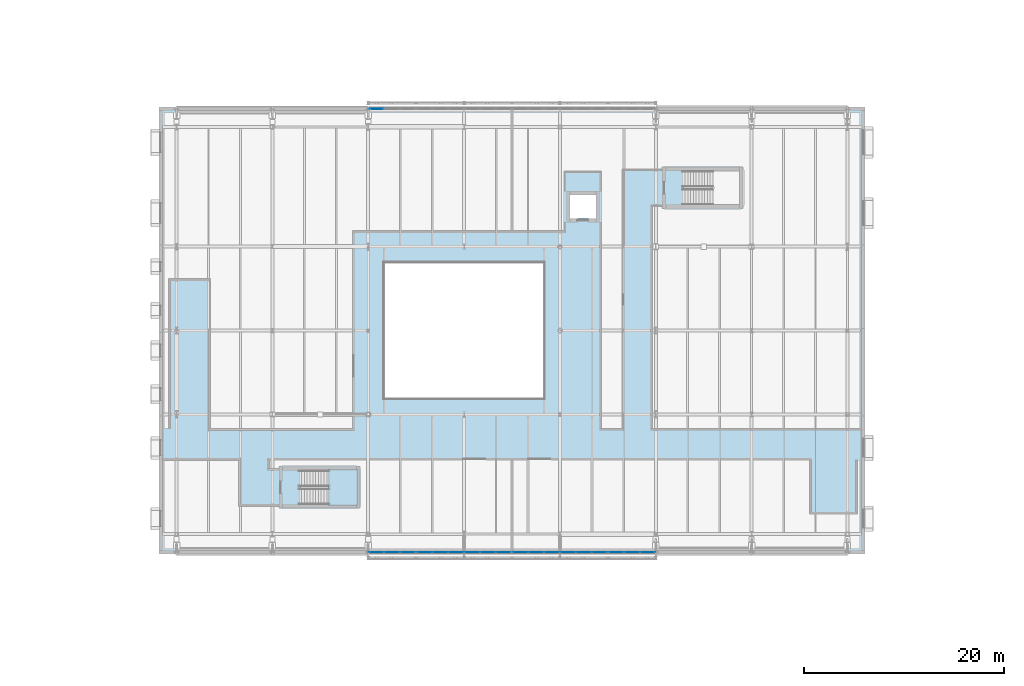
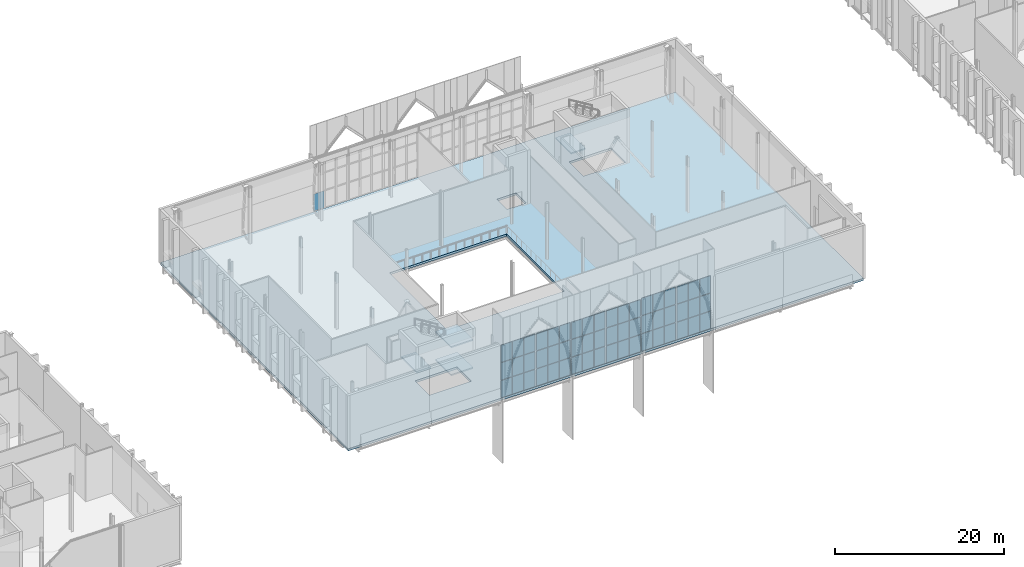
# One storey, part 39 of 79: 55 plates, 5 slabs, 9 elements without a shape of their own.
"""IFC4 building model written with IfcOpenShell, lengths in metres."""

from ifc_helpers import new_model, si_unit, direction, frame, origin, origin_2d, place, context, subcontext, project, spatial, polyline, rectangle, outline, extrude, material, layer, layer_set, type_object, element, aggregate, save


model = new_model("IFC4")

# Units and contexts
model_context = context("Model", 3, precision=1e-05, world=origin(), true_north=direction((0.0, 1.0)))
body_context = subcontext(model_context, "Body", "Model", "MODEL_VIEW")
ifc_project = project(units=[si_unit("LENGTHUNIT", "METRE"), si_unit("AREAUNIT", "SQUARE_METRE"), si_unit("VOLUMEUNIT", "CUBIC_METRE"), si_unit("PLANEANGLEUNIT", "RADIAN"), si_unit("MASSUNIT", "GRAM", prefix="KILO")], contexts=[model_context])

# Site, building, storey
site_placement = place(None, origin())
site = spatial("IfcSite", under=ifc_project, at=site_placement, CompositionType="ELEMENT")
building_placement = place(site_placement, origin())
building = spatial("IfcBuilding", under=site, at=building_placement, Name="Zereglee Splitstone Museum", CompositionType="ELEMENT")
storey_placement = place(building_placement, frame((0.0, 0.0, 9.0)))
storey = spatial("IfcBuildingStorey", under=building, at=storey_placement, Name="L02", CompositionType="ELEMENT", Elevation=9.0)

# Curtain wall, plates
ifc_material_1 = material(Name="Triple-glazed low-E argon glass and bronze-anodised aluminium", Category="aluminium")
ifc_layer_1 = layer(ifc_material_1, 0.219970703125)
ifc_layer_set_1 = layer_set([ifc_layer_1], Name="Triple-glazed low-E argon glass and bronze-anodised aluminium")
curtain_wall_type_1 = type_object("IfcCurtainWallType", Name="CW-0476-774", PredefinedType="USERDEFINED", material=ifc_layer_set_1)
curtain_wall_1_placement = place(storey_placement, origin())
curtain_wall_1 = element("IfcCurtainWall", 1, at=curtain_wall_1_placement, inside=storey, type_object=curtain_wall_type_1, Name="Glazed Curtain Wall CW-0476-774 (L02)", ObjectType="GLAZED CURTAIN WALL", PredefinedType="USERDEFINED")
ifc_material_2 = material(Name="Triple low-e argon insulated safety glass", Category="glass")
ifc_layer_2 = layer(ifc_material_2, 0.035888671875)
ifc_layer_set_2 = layer_set([ifc_layer_2], Name="Triple low-e argon insulated safety glass")
plate_type = type_object("IfcPlateType", Name="CWP-01", PredefinedType="CURTAIN_PANEL", material=ifc_layer_set_2)
plate_1_placement = place(storey_placement, frame((98.011962890625, 7.800048828125, 0.0751953125), z_axis=(0.0, 0.0, 1.0), x_axis=(1.0, 0.0, 0.0)))
plate_1 = element("IfcPlate", 2, at=plate_1_placement, type_object=plate_type, Name="CW-0476-774 panel 1.1", PredefinedType="CURTAIN_PANEL", context=body_context, shape_type="SweptSolid", body=[
    extrude(rectangle(XDim=1.47412109375, YDim=0.035888671875, at=origin_2d()), origin(), (0.0, 0.0, 1.0), 2.467529296875),
])
plate_2_placement = place(storey_placement, frame((98.011962890625, 7.800048828125, 2.61767578125), z_axis=(0.0, 0.0, 1.0), x_axis=(1.0, 0.0, 0.0)))
plate_2 = element("IfcPlate", 3, at=plate_2_placement, type_object=plate_type, Name="CW-0476-774 panel 1.2", PredefinedType="CURTAIN_PANEL", context=body_context, shape_type="SweptSolid", body=[
    extrude(rectangle(XDim=1.47412109375, YDim=0.035888671875, at=origin_2d()), origin(), (0.0, 0.0, 1.0), 2.5048828125),
])
plate_3_placement = place(storey_placement, frame((98.011962890625, 7.800048828125, 5.197265625), z_axis=(0.0, 0.0, 1.0), x_axis=(1.0, 0.0, 0.0)))
plate_3 = element("IfcPlate", 4, at=plate_3_placement, type_object=plate_type, Name="CW-0476-774 panel 1.3", PredefinedType="CURTAIN_PANEL", context=body_context, shape_type="SweptSolid", body=[
    extrude(rectangle(XDim=1.47412109375, YDim=0.035888671875, at=origin_2d()), origin(), (0.0, 0.0, 1.0), 2.467529296875),
])
plate_4_placement = place(storey_placement, frame((99.580078125, 7.800048828125, 0.0751953125), z_axis=(0.0, 0.0, 1.0), x_axis=(1.0, 0.0, 0.0)))
plate_4 = element("IfcPlate", 5, at=plate_4_placement, type_object=plate_type, Name="CW-0476-774 panel 2.1", PredefinedType="CURTAIN_PANEL", context=body_context, shape_type="SweptSolid", body=[
    extrude(rectangle(XDim=1.51171875, YDim=0.035888671875, at=origin_2d()), origin(), (0.0, 0.0, 1.0), 2.467529296875),
])
plate_5_placement = place(storey_placement, frame((99.580078125, 7.800048828125, 2.61767578125), z_axis=(0.0, 0.0, 1.0), x_axis=(1.0, 0.0, 0.0)))
plate_5 = element("IfcPlate", 6, at=plate_5_placement, type_object=plate_type, Name="CW-0476-774 panel 2.2", PredefinedType="CURTAIN_PANEL", context=body_context, shape_type="SweptSolid", body=[
    extrude(rectangle(XDim=1.51171875, YDim=0.035888671875, at=origin_2d()), origin(), (0.0, 0.0, 1.0), 2.5048828125),
])
plate_6_placement = place(storey_placement, frame((99.580078125, 7.800048828125, 5.197265625), z_axis=(0.0, 0.0, 1.0), x_axis=(1.0, 0.0, 0.0)))
plate_6 = element("IfcPlate", 7, at=plate_6_placement, type_object=plate_type, Name="CW-0476-774 panel 2.3", PredefinedType="CURTAIN_PANEL", context=body_context, shape_type="SweptSolid", body=[
    extrude(rectangle(XDim=1.51171875, YDim=0.035888671875, at=origin_2d()), origin(), (0.0, 0.0, 1.0), 2.467529296875),
])
plate_7_placement = place(storey_placement, frame((101.14794921875, 7.800048828125, 0.0751953125), z_axis=(0.0, 0.0, 1.0), x_axis=(1.0, 0.0, 0.0)))
plate_7 = element("IfcPlate", 8, at=plate_7_placement, type_object=plate_type, Name="CW-0476-774 panel 3.1", PredefinedType="CURTAIN_PANEL", context=body_context, shape_type="SweptSolid", body=[
    extrude(rectangle(XDim=1.47412109375, YDim=0.035888671875, at=origin_2d()), origin(), (0.0, 0.0, 1.0), 2.467529296875),
])
plate_8_placement = place(storey_placement, frame((101.14794921875, 7.800048828125, 2.61767578125), z_axis=(0.0, 0.0, 1.0), x_axis=(1.0, 0.0, 0.0)))
plate_8 = element("IfcPlate", 9, at=plate_8_placement, type_object=plate_type, Name="CW-0476-774 panel 3.2", PredefinedType="CURTAIN_PANEL", context=body_context, shape_type="SweptSolid", body=[
    extrude(rectangle(XDim=1.47412109375, YDim=0.035888671875, at=origin_2d()), origin(), (0.0, 0.0, 1.0), 2.5048828125),
])
plate_9_placement = place(storey_placement, frame((101.14794921875, 7.800048828125, 5.197265625), z_axis=(0.0, 0.0, 1.0), x_axis=(1.0, 0.0, 0.0)))
plate_9 = element("IfcPlate", 10, at=plate_9_placement, type_object=plate_type, Name="CW-0476-774 panel 3.3", PredefinedType="CURTAIN_PANEL", context=body_context, shape_type="SweptSolid", body=[
    extrude(rectangle(XDim=1.47412109375, YDim=0.035888671875, at=origin_2d()), origin(), (0.0, 0.0, 1.0), 2.467529296875),
])
aggregate(curtain_wall_1, [plate_1, plate_2, plate_3, plate_4, plate_5, plate_6, plate_7, plate_8, plate_9])

ifc_layer_3 = layer(ifc_material_1, 0.219970703125)
ifc_layer_set_3 = layer_set([ifc_layer_3], Name="Triple-glazed low-E argon glass and bronze-anodised aluminium")
curtain_wall_type_2 = type_object("IfcCurtainWallType", Name="CW-0476-772", PredefinedType="USERDEFINED", material=ifc_layer_set_3)
curtain_wall_2_placement = place(storey_placement, origin())
curtain_wall_2 = element("IfcCurtainWall", 11, at=curtain_wall_2_placement, inside=storey, type_object=curtain_wall_type_2, Name="Glazed Curtain Wall CW-0476-772 (L02)", ObjectType="GLAZED CURTAIN WALL", PredefinedType="USERDEFINED")
plate_10_placement = place(storey_placement, frame((102.85205078125, 7.800048828125, 0.0751953125), z_axis=(0.0, 0.0, 1.0), x_axis=(1.0, 0.0, 0.0)))
plate_10 = element("IfcPlate", 12, at=plate_10_placement, type_object=plate_type, Name="CW-0476-772 panel 1.1", PredefinedType="CURTAIN_PANEL", context=body_context, shape_type="SweptSolid", body=[
    extrude(rectangle(XDim=1.47412109375, YDim=0.035888671875, at=origin_2d()), origin(), (0.0, 0.0, 1.0), 2.460693359375),
])
plate_11_placement = place(storey_placement, frame((102.85205078125, 7.800048828125, 2.61083984375), z_axis=(0.0, 0.0, 1.0), x_axis=(1.0, 0.0, 0.0)))
plate_11 = element("IfcPlate", 13, at=plate_11_placement, type_object=plate_type, Name="CW-0476-772 panel 1.2", PredefinedType="CURTAIN_PANEL", context=body_context, shape_type="SweptSolid", body=[
    extrude(rectangle(XDim=1.47412109375, YDim=0.035888671875, at=origin_2d()), origin(), (0.0, 0.0, 1.0), 2.498291015625),
])
plate_12_placement = place(storey_placement, frame((102.85205078125, 7.800048828125, 5.18408203125), z_axis=(0.0, 0.0, 1.0), x_axis=(1.0, 0.0, 0.0)))
plate_12 = element("IfcPlate", 14, at=plate_12_placement, type_object=plate_type, Name="CW-0476-772 panel 1.3", PredefinedType="CURTAIN_PANEL", context=body_context, shape_type="SweptSolid", body=[
    extrude(rectangle(XDim=1.47412109375, YDim=0.035888671875, at=origin_2d()), origin(), (0.0, 0.0, 1.0), 2.460693359375),
])
plate_13_placement = place(storey_placement, frame((104.419921875, 7.800048828125, 0.0751953125), z_axis=(0.0, 0.0, 1.0), x_axis=(1.0, 0.0, 0.0)))
plate_13 = element("IfcPlate", 15, at=plate_13_placement, type_object=plate_type, Name="CW-0476-772 panel 2.1", PredefinedType="CURTAIN_PANEL", context=body_context, shape_type="SweptSolid", body=[
    extrude(rectangle(XDim=1.51171875, YDim=0.035888671875, at=origin_2d()), origin(), (0.0, 0.0, 1.0), 2.460693359375),
])
plate_14_placement = place(storey_placement, frame((104.419921875, 7.800048828125, 2.61083984375), z_axis=(0.0, 0.0, 1.0), x_axis=(1.0, 0.0, 0.0)))
plate_14 = element("IfcPlate", 16, at=plate_14_placement, type_object=plate_type, Name="CW-0476-772 panel 2.2", PredefinedType="CURTAIN_PANEL", context=body_context, shape_type="SweptSolid", body=[
    extrude(rectangle(XDim=1.51171875, YDim=0.035888671875, at=origin_2d()), origin(), (0.0, 0.0, 1.0), 2.498291015625),
])
plate_15_placement = place(storey_placement, frame((104.419921875, 7.800048828125, 5.18408203125), z_axis=(0.0, 0.0, 1.0), x_axis=(1.0, 0.0, 0.0)))
plate_15 = element("IfcPlate", 17, at=plate_15_placement, type_object=plate_type, Name="CW-0476-772 panel 2.3", PredefinedType="CURTAIN_PANEL", context=body_context, shape_type="SweptSolid", body=[
    extrude(rectangle(XDim=1.51171875, YDim=0.035888671875, at=origin_2d()), origin(), (0.0, 0.0, 1.0), 2.460693359375),
])
plate_16_placement = place(storey_placement, frame((105.988037109375, 7.800048828125, 0.0751953125), z_axis=(0.0, 0.0, 1.0), x_axis=(1.0, 0.0, 0.0)))
plate_16 = element("IfcPlate", 18, at=plate_16_placement, type_object=plate_type, Name="CW-0476-772 panel 3.1", PredefinedType="CURTAIN_PANEL", context=body_context, shape_type="SweptSolid", body=[
    extrude(rectangle(XDim=1.47412109375, YDim=0.035888671875, at=origin_2d()), origin(), (0.0, 0.0, 1.0), 2.460693359375),
])
plate_17_placement = place(storey_placement, frame((105.988037109375, 7.800048828125, 2.61083984375), z_axis=(0.0, 0.0, 1.0), x_axis=(1.0, 0.0, 0.0)))
plate_17 = element("IfcPlate", 19, at=plate_17_placement, type_object=plate_type, Name="CW-0476-772 panel 3.2", PredefinedType="CURTAIN_PANEL", context=body_context, shape_type="SweptSolid", body=[
    extrude(rectangle(XDim=1.47412109375, YDim=0.035888671875, at=origin_2d()), origin(), (0.0, 0.0, 1.0), 2.498291015625),
])
plate_18_placement = place(storey_placement, frame((105.988037109375, 7.800048828125, 5.18408203125), z_axis=(0.0, 0.0, 1.0), x_axis=(1.0, 0.0, 0.0)))
plate_18 = element("IfcPlate", 20, at=plate_18_placement, type_object=plate_type, Name="CW-0476-772 panel 3.3", PredefinedType="CURTAIN_PANEL", context=body_context, shape_type="SweptSolid", body=[
    extrude(rectangle(XDim=1.47412109375, YDim=0.035888671875, at=origin_2d()), origin(), (0.0, 0.0, 1.0), 2.460693359375),
])
aggregate(curtain_wall_2, [plate_10, plate_11, plate_12, plate_13, plate_14, plate_15, plate_16, plate_17, plate_18])

ifc_layer_4 = layer(ifc_material_1, 0.219970703125)
ifc_layer_set_4 = layer_set([ifc_layer_4], Name="Triple-glazed low-E argon glass and bronze-anodised aluminium")
curtain_wall_type_3 = type_object("IfcCurtainWallType", Name="CW-0476-768", PredefinedType="USERDEFINED", material=ifc_layer_set_4)
curtain_wall_3_placement = place(storey_placement, origin())
curtain_wall_3 = element("IfcCurtainWall", 21, at=curtain_wall_3_placement, inside=storey, type_object=curtain_wall_type_3, Name="Glazed Curtain Wall CW-0476-768 (L02)", ObjectType="GLAZED CURTAIN WALL", PredefinedType="USERDEFINED")
plate_19_placement = place(storey_placement, frame((107.612060546875, 7.800048828125, 0.0751953125), z_axis=(0.0, 0.0, 1.0), x_axis=(1.0, 0.0, 0.0)))
plate_19 = element("IfcPlate", 22, at=plate_19_placement, type_object=plate_type, Name="CW-0476-768 panel 1.1", PredefinedType="CURTAIN_PANEL", context=body_context, shape_type="SweptSolid", body=[
    extrude(rectangle(XDim=1.47412109375, YDim=0.035888671875, at=origin_2d()), origin(), (0.0, 0.0, 1.0), 2.447509765625),
])
plate_20_placement = place(storey_placement, frame((107.612060546875, 7.800048828125, 2.59765625), z_axis=(0.0, 0.0, 1.0), x_axis=(1.0, 0.0, 0.0)))
plate_20 = element("IfcPlate", 23, at=plate_20_placement, type_object=plate_type, Name="CW-0476-768 panel 1.2", PredefinedType="CURTAIN_PANEL", context=body_context, shape_type="SweptSolid", body=[
    extrude(rectangle(XDim=1.47412109375, YDim=0.035888671875, at=origin_2d()), origin(), (0.0, 0.0, 1.0), 2.485107421875),
])
plate_21_placement = place(storey_placement, frame((107.612060546875, 7.800048828125, 5.15771484375), z_axis=(0.0, 0.0, 1.0), x_axis=(1.0, 0.0, 0.0)))
plate_21 = element("IfcPlate", 24, at=plate_21_placement, type_object=plate_type, Name="CW-0476-768 panel 1.3", PredefinedType="CURTAIN_PANEL", context=body_context, shape_type="SweptSolid", body=[
    extrude(rectangle(XDim=1.47412109375, YDim=0.035888671875, at=origin_2d()), origin(), (0.0, 0.0, 1.0), 2.447509765625),
])
plate_22_placement = place(storey_placement, frame((109.179931640625, 7.800048828125, 0.0751953125), z_axis=(0.0, 0.0, 1.0), x_axis=(1.0, 0.0, 0.0)))
plate_22 = element("IfcPlate", 25, at=plate_22_placement, type_object=plate_type, Name="CW-0476-768 panel 2.1", PredefinedType="CURTAIN_PANEL", context=body_context, shape_type="SweptSolid", body=[
    extrude(rectangle(XDim=1.51171875, YDim=0.035888671875, at=origin_2d()), origin(), (0.0, 0.0, 1.0), 2.447509765625),
])
plate_23_placement = place(storey_placement, frame((109.179931640625, 7.800048828125, 2.59765625), z_axis=(0.0, 0.0, 1.0), x_axis=(1.0, 0.0, 0.0)))
plate_23 = element("IfcPlate", 26, at=plate_23_placement, type_object=plate_type, Name="CW-0476-768 panel 2.2", PredefinedType="CURTAIN_PANEL", context=body_context, shape_type="SweptSolid", body=[
    extrude(rectangle(XDim=1.51171875, YDim=0.035888671875, at=origin_2d()), origin(), (0.0, 0.0, 1.0), 2.485107421875),
])
plate_24_placement = place(storey_placement, frame((109.179931640625, 7.800048828125, 5.15771484375), z_axis=(0.0, 0.0, 1.0), x_axis=(1.0, 0.0, 0.0)))
plate_24 = element("IfcPlate", 27, at=plate_24_placement, type_object=plate_type, Name="CW-0476-768 panel 2.3", PredefinedType="CURTAIN_PANEL", context=body_context, shape_type="SweptSolid", body=[
    extrude(rectangle(XDim=1.51171875, YDim=0.035888671875, at=origin_2d()), origin(), (0.0, 0.0, 1.0), 2.447509765625),
])
plate_25_placement = place(storey_placement, frame((110.747802734375, 7.800048828125, 0.0751953125), z_axis=(0.0, 0.0, 1.0), x_axis=(1.0, 0.0, 0.0)))
plate_25 = element("IfcPlate", 28, at=plate_25_placement, type_object=plate_type, Name="CW-0476-768 panel 3.1", PredefinedType="CURTAIN_PANEL", context=body_context, shape_type="SweptSolid", body=[
    extrude(rectangle(XDim=1.47412109375, YDim=0.035888671875, at=origin_2d()), origin(), (0.0, 0.0, 1.0), 2.447509765625),
])
plate_26_placement = place(storey_placement, frame((110.747802734375, 7.800048828125, 2.59765625), z_axis=(0.0, 0.0, 1.0), x_axis=(1.0, 0.0, 0.0)))
plate_26 = element("IfcPlate", 29, at=plate_26_placement, type_object=plate_type, Name="CW-0476-768 panel 3.2", PredefinedType="CURTAIN_PANEL", context=body_context, shape_type="SweptSolid", body=[
    extrude(rectangle(XDim=1.47412109375, YDim=0.035888671875, at=origin_2d()), origin(), (0.0, 0.0, 1.0), 2.485107421875),
])
plate_27_placement = place(storey_placement, frame((110.747802734375, 7.800048828125, 5.15771484375), z_axis=(0.0, 0.0, 1.0), x_axis=(1.0, 0.0, 0.0)))
plate_27 = element("IfcPlate", 30, at=plate_27_placement, type_object=plate_type, Name="CW-0476-768 panel 3.3", PredefinedType="CURTAIN_PANEL", context=body_context, shape_type="SweptSolid", body=[
    extrude(rectangle(XDim=1.47412109375, YDim=0.035888671875, at=origin_2d()), origin(), (0.0, 0.0, 1.0), 2.447509765625),
])
aggregate(curtain_wall_3, [plate_19, plate_20, plate_21, plate_22, plate_23, plate_24, plate_25, plate_26, plate_27])

ifc_layer_5 = layer(ifc_material_1, 0.219970703125)
ifc_layer_set_5 = layer_set([ifc_layer_5], Name="Triple-glazed low-E argon glass and bronze-anodised aluminium")
curtain_wall_type_4 = type_object("IfcCurtainWallType", Name="CW-0476-766", PredefinedType="USERDEFINED", material=ifc_layer_set_5)
curtain_wall_4_placement = place(storey_placement, origin())
curtain_wall_4 = element("IfcCurtainWall", 31, at=curtain_wall_4_placement, inside=storey, type_object=curtain_wall_type_4, Name="Glazed Curtain Wall CW-0476-766 (L02)", ObjectType="GLAZED CURTAIN WALL", PredefinedType="USERDEFINED")
plate_28_placement = place(storey_placement, frame((112.4521484375, 7.800048828125, 0.074951171875), z_axis=(0.0, 0.0, 1.0), x_axis=(1.0, 0.0, 0.0)))
plate_28 = element("IfcPlate", 32, at=plate_28_placement, type_object=plate_type, Name="CW-0476-766 panel 1.1", PredefinedType="CURTAIN_PANEL", context=body_context, shape_type="SweptSolid", body=[
    extrude(rectangle(XDim=1.47412109375, YDim=0.035888671875, at=origin_2d()), origin(), (0.0, 0.0, 1.0), 2.44091796875),
])
plate_29_placement = place(storey_placement, frame((112.4521484375, 7.800048828125, 2.5908203125), z_axis=(0.0, 0.0, 1.0), x_axis=(1.0, 0.0, 0.0)))
plate_29 = element("IfcPlate", 33, at=plate_29_placement, type_object=plate_type, Name="CW-0476-766 panel 1.2", PredefinedType="CURTAIN_PANEL", context=body_context, shape_type="SweptSolid", body=[
    extrude(rectangle(XDim=1.47412109375, YDim=0.035888671875, at=origin_2d()), origin(), (0.0, 0.0, 1.0), 2.478515625),
])
plate_30_placement = place(storey_placement, frame((112.4521484375, 7.800048828125, 5.14404296875), z_axis=(0.0, 0.0, 1.0), x_axis=(1.0, 0.0, 0.0)))
plate_30 = element("IfcPlate", 34, at=plate_30_placement, type_object=plate_type, Name="CW-0476-766 panel 1.3", PredefinedType="CURTAIN_PANEL", context=body_context, shape_type="SweptSolid", body=[
    extrude(rectangle(XDim=1.47412109375, YDim=0.035888671875, at=origin_2d()), origin(), (0.0, 0.0, 1.0), 2.44091796875),
])
plate_31_placement = place(storey_placement, frame((114.02001953125, 7.800048828125, 0.074951171875), z_axis=(0.0, 0.0, 1.0), x_axis=(1.0, 0.0, 0.0)))
plate_31 = element("IfcPlate", 35, at=plate_31_placement, type_object=plate_type, Name="CW-0476-766 panel 2.1", PredefinedType="CURTAIN_PANEL", context=body_context, shape_type="SweptSolid", body=[
    extrude(rectangle(XDim=1.51171875, YDim=0.035888671875, at=origin_2d()), origin(), (0.0, 0.0, 1.0), 2.44091796875),
])
plate_32_placement = place(storey_placement, frame((114.02001953125, 7.800048828125, 2.5908203125), z_axis=(0.0, 0.0, 1.0), x_axis=(1.0, 0.0, 0.0)))
plate_32 = element("IfcPlate", 36, at=plate_32_placement, type_object=plate_type, Name="CW-0476-766 panel 2.2", PredefinedType="CURTAIN_PANEL", context=body_context, shape_type="SweptSolid", body=[
    extrude(rectangle(XDim=1.51171875, YDim=0.035888671875, at=origin_2d()), origin(), (0.0, 0.0, 1.0), 2.478515625),
])
plate_33_placement = place(storey_placement, frame((114.02001953125, 7.800048828125, 5.14404296875), z_axis=(0.0, 0.0, 1.0), x_axis=(1.0, 0.0, 0.0)))
plate_33 = element("IfcPlate", 37, at=plate_33_placement, type_object=plate_type, Name="CW-0476-766 panel 2.3", PredefinedType="CURTAIN_PANEL", context=body_context, shape_type="SweptSolid", body=[
    extrude(rectangle(XDim=1.51171875, YDim=0.035888671875, at=origin_2d()), origin(), (0.0, 0.0, 1.0), 2.44091796875),
])
plate_34_placement = place(storey_placement, frame((115.587890625, 7.800048828125, 0.074951171875), z_axis=(0.0, 0.0, 1.0), x_axis=(1.0, 0.0, 0.0)))
plate_34 = element("IfcPlate", 38, at=plate_34_placement, type_object=plate_type, Name="CW-0476-766 panel 3.1", PredefinedType="CURTAIN_PANEL", context=body_context, shape_type="SweptSolid", body=[
    extrude(rectangle(XDim=1.47412109375, YDim=0.035888671875, at=origin_2d()), origin(), (0.0, 0.0, 1.0), 2.44091796875),
])
plate_35_placement = place(storey_placement, frame((115.587890625, 7.800048828125, 2.5908203125), z_axis=(0.0, 0.0, 1.0), x_axis=(1.0, 0.0, 0.0)))
plate_35 = element("IfcPlate", 39, at=plate_35_placement, type_object=plate_type, Name="CW-0476-766 panel 3.2", PredefinedType="CURTAIN_PANEL", context=body_context, shape_type="SweptSolid", body=[
    extrude(rectangle(XDim=1.47412109375, YDim=0.035888671875, at=origin_2d()), origin(), (0.0, 0.0, 1.0), 2.478515625),
])
plate_36_placement = place(storey_placement, frame((115.587890625, 7.800048828125, 5.14404296875), z_axis=(0.0, 0.0, 1.0), x_axis=(1.0, 0.0, 0.0)))
plate_36 = element("IfcPlate", 40, at=plate_36_placement, type_object=plate_type, Name="CW-0476-766 panel 3.3", PredefinedType="CURTAIN_PANEL", context=body_context, shape_type="SweptSolid", body=[
    extrude(rectangle(XDim=1.47412109375, YDim=0.035888671875, at=origin_2d()), origin(), (0.0, 0.0, 1.0), 2.44091796875),
])
aggregate(curtain_wall_4, [plate_28, plate_29, plate_30, plate_31, plate_32, plate_33, plate_34, plate_35, plate_36])

ifc_layer_6 = layer(ifc_material_1, 0.219970703125)
ifc_layer_set_6 = layer_set([ifc_layer_6], Name="Triple-glazed low-E argon glass and bronze-anodised aluminium")
curtain_wall_type_5 = type_object("IfcCurtainWallType", Name="CW-0476-780", PredefinedType="USERDEFINED", material=ifc_layer_set_6)
curtain_wall_5_placement = place(storey_placement, origin())
curtain_wall_5 = element("IfcCurtainWall", 41, at=curtain_wall_5_placement, inside=storey, type_object=curtain_wall_type_5, Name="Glazed Curtain Wall CW-0476-780 (L02)", ObjectType="GLAZED CURTAIN WALL", PredefinedType="USERDEFINED")
plate_37_placement = place(storey_placement, frame((117.212158203125, 7.800048828125, 0.0751953125), z_axis=(0.0, 0.0, 1.0), x_axis=(1.0, 0.0, 0.0)))
plate_37 = element("IfcPlate", 42, at=plate_37_placement, type_object=plate_type, Name="CW-0476-780 panel 1.1", PredefinedType="CURTAIN_PANEL", context=body_context, shape_type="SweptSolid", body=[
    extrude(rectangle(XDim=1.47412109375, YDim=0.035888671875, at=origin_2d()), origin(), (0.0, 0.0, 1.0), 2.487548828125),
])
plate_38_placement = place(storey_placement, frame((117.212158203125, 7.800048828125, 2.637451171875), z_axis=(0.0, 0.0, 1.0), x_axis=(1.0, 0.0, 0.0)))
plate_38 = element("IfcPlate", 43, at=plate_38_placement, type_object=plate_type, Name="CW-0476-780 panel 1.2", PredefinedType="CURTAIN_PANEL", context=body_context, shape_type="SweptSolid", body=[
    extrude(rectangle(XDim=1.47412109375, YDim=0.035888671875, at=origin_2d()), origin(), (0.0, 0.0, 1.0), 2.52490234375),
])
plate_39_placement = place(storey_placement, frame((117.212158203125, 7.800048828125, 5.2373046875), z_axis=(0.0, 0.0, 1.0), x_axis=(1.0, 0.0, 0.0)))
plate_39 = element("IfcPlate", 44, at=plate_39_placement, type_object=plate_type, Name="CW-0476-780 panel 1.3", PredefinedType="CURTAIN_PANEL", context=body_context, shape_type="SweptSolid", body=[
    extrude(rectangle(XDim=1.47412109375, YDim=0.035888671875, at=origin_2d()), origin(), (0.0, 0.0, 1.0), 2.487548828125),
])
plate_40_placement = place(storey_placement, frame((118.780029296875, 7.800048828125, 0.0751953125), z_axis=(0.0, 0.0, 1.0), x_axis=(1.0, 0.0, 0.0)))
plate_40 = element("IfcPlate", 45, at=plate_40_placement, type_object=plate_type, Name="CW-0476-780 panel 2.1", PredefinedType="CURTAIN_PANEL", context=body_context, shape_type="SweptSolid", body=[
    extrude(rectangle(XDim=1.51171875, YDim=0.035888671875, at=origin_2d()), origin(), (0.0, 0.0, 1.0), 2.487548828125),
])
plate_41_placement = place(storey_placement, frame((118.780029296875, 7.800048828125, 2.637451171875), z_axis=(0.0, 0.0, 1.0), x_axis=(1.0, 0.0, 0.0)))
plate_41 = element("IfcPlate", 46, at=plate_41_placement, type_object=plate_type, Name="CW-0476-780 panel 2.2", PredefinedType="CURTAIN_PANEL", context=body_context, shape_type="SweptSolid", body=[
    extrude(rectangle(XDim=1.51171875, YDim=0.035888671875, at=origin_2d()), origin(), (0.0, 0.0, 1.0), 2.52490234375),
])
plate_42_placement = place(storey_placement, frame((118.780029296875, 7.800048828125, 5.2373046875), z_axis=(0.0, 0.0, 1.0), x_axis=(1.0, 0.0, 0.0)))
plate_42 = element("IfcPlate", 47, at=plate_42_placement, type_object=plate_type, Name="CW-0476-780 panel 2.3", PredefinedType="CURTAIN_PANEL", context=body_context, shape_type="SweptSolid", body=[
    extrude(rectangle(XDim=1.51171875, YDim=0.035888671875, at=origin_2d()), origin(), (0.0, 0.0, 1.0), 2.487548828125),
])
plate_43_placement = place(storey_placement, frame((120.347900390625, 7.800048828125, 0.0751953125), z_axis=(0.0, 0.0, 1.0), x_axis=(1.0, 0.0, 0.0)))
plate_43 = element("IfcPlate", 48, at=plate_43_placement, type_object=plate_type, Name="CW-0476-780 panel 3.1", PredefinedType="CURTAIN_PANEL", context=body_context, shape_type="SweptSolid", body=[
    extrude(rectangle(XDim=1.47412109375, YDim=0.035888671875, at=origin_2d()), origin(), (0.0, 0.0, 1.0), 2.487548828125),
])
plate_44_placement = place(storey_placement, frame((120.347900390625, 7.800048828125, 2.637451171875), z_axis=(0.0, 0.0, 1.0), x_axis=(1.0, 0.0, 0.0)))
plate_44 = element("IfcPlate", 49, at=plate_44_placement, type_object=plate_type, Name="CW-0476-780 panel 3.2", PredefinedType="CURTAIN_PANEL", context=body_context, shape_type="SweptSolid", body=[
    extrude(rectangle(XDim=1.47412109375, YDim=0.035888671875, at=origin_2d()), origin(), (0.0, 0.0, 1.0), 2.52490234375),
])
plate_45_placement = place(storey_placement, frame((120.347900390625, 7.800048828125, 5.2373046875), z_axis=(0.0, 0.0, 1.0), x_axis=(1.0, 0.0, 0.0)))
plate_45 = element("IfcPlate", 50, at=plate_45_placement, type_object=plate_type, Name="CW-0476-780 panel 3.3", PredefinedType="CURTAIN_PANEL", context=body_context, shape_type="SweptSolid", body=[
    extrude(rectangle(XDim=1.47412109375, YDim=0.035888671875, at=origin_2d()), origin(), (0.0, 0.0, 1.0), 2.487548828125),
])
aggregate(curtain_wall_5, [plate_37, plate_38, plate_39, plate_40, plate_41, plate_42, plate_43, plate_44, plate_45])

ifc_layer_7 = layer(ifc_material_1, 0.219970703125)
ifc_layer_set_7 = layer_set([ifc_layer_7], Name="Triple-glazed low-E argon glass and bronze-anodised aluminium")
curtain_wall_type_6 = type_object("IfcCurtainWallType", Name="CW-0476-778", PredefinedType="USERDEFINED", material=ifc_layer_set_7)
curtain_wall_6_placement = place(storey_placement, origin())
curtain_wall_6 = element("IfcCurtainWall", 51, at=curtain_wall_6_placement, inside=storey, type_object=curtain_wall_type_6, Name="Glazed Curtain Wall CW-0476-778 (L02)", ObjectType="GLAZED CURTAIN WALL", PredefinedType="USERDEFINED")
plate_46_placement = place(storey_placement, frame((122.052001953125, 7.800048828125, 0.0751953125), z_axis=(0.0, 0.0, 1.0), x_axis=(1.0, 0.0, 0.0)))
plate_46 = element("IfcPlate", 52, at=plate_46_placement, type_object=plate_type, Name="CW-0476-778 panel 1.1", PredefinedType="CURTAIN_PANEL", context=body_context, shape_type="SweptSolid", body=[
    extrude(rectangle(XDim=1.47412109375, YDim=0.035888671875, at=origin_2d()), origin(), (0.0, 0.0, 1.0), 2.480712890625),
])
plate_47_placement = place(storey_placement, frame((122.052001953125, 7.800048828125, 2.630859375), z_axis=(0.0, 0.0, 1.0), x_axis=(1.0, 0.0, 0.0)))
plate_47 = element("IfcPlate", 53, at=plate_47_placement, type_object=plate_type, Name="CW-0476-778 panel 1.2", PredefinedType="CURTAIN_PANEL", context=body_context, shape_type="SweptSolid", body=[
    extrude(rectangle(XDim=1.47412109375, YDim=0.035888671875, at=origin_2d()), origin(), (0.0, 0.0, 1.0), 2.518310546875),
])
plate_48_placement = place(storey_placement, frame((122.052001953125, 7.800048828125, 5.22412109375), z_axis=(0.0, 0.0, 1.0), x_axis=(1.0, 0.0, 0.0)))
plate_48 = element("IfcPlate", 54, at=plate_48_placement, type_object=plate_type, Name="CW-0476-778 panel 1.3", PredefinedType="CURTAIN_PANEL", context=body_context, shape_type="SweptSolid", body=[
    extrude(rectangle(XDim=1.47412109375, YDim=0.035888671875, at=origin_2d()), origin(), (0.0, 0.0, 1.0), 2.480712890625),
])
plate_49_placement = place(storey_placement, frame((123.6201171875, 7.800048828125, 0.0751953125), z_axis=(0.0, 0.0, 1.0), x_axis=(1.0, 0.0, 0.0)))
plate_49 = element("IfcPlate", 55, at=plate_49_placement, type_object=plate_type, Name="CW-0476-778 panel 2.1", PredefinedType="CURTAIN_PANEL", context=body_context, shape_type="SweptSolid", body=[
    extrude(rectangle(XDim=1.51171875, YDim=0.035888671875, at=origin_2d()), origin(), (0.0, 0.0, 1.0), 2.480712890625),
])
plate_50_placement = place(storey_placement, frame((123.6201171875, 7.800048828125, 2.630859375), z_axis=(0.0, 0.0, 1.0), x_axis=(1.0, 0.0, 0.0)))
plate_50 = element("IfcPlate", 56, at=plate_50_placement, type_object=plate_type, Name="CW-0476-778 panel 2.2", PredefinedType="CURTAIN_PANEL", context=body_context, shape_type="SweptSolid", body=[
    extrude(rectangle(XDim=1.51171875, YDim=0.035888671875, at=origin_2d()), origin(), (0.0, 0.0, 1.0), 2.518310546875),
])
plate_51_placement = place(storey_placement, frame((123.6201171875, 7.800048828125, 5.22412109375), z_axis=(0.0, 0.0, 1.0), x_axis=(1.0, 0.0, 0.0)))
plate_51 = element("IfcPlate", 57, at=plate_51_placement, type_object=plate_type, Name="CW-0476-778 panel 2.3", PredefinedType="CURTAIN_PANEL", context=body_context, shape_type="SweptSolid", body=[
    extrude(rectangle(XDim=1.51171875, YDim=0.035888671875, at=origin_2d()), origin(), (0.0, 0.0, 1.0), 2.480712890625),
])
plate_52_placement = place(storey_placement, frame((125.18798828125, 7.800048828125, 0.0751953125), z_axis=(0.0, 0.0, 1.0), x_axis=(1.0, 0.0, 0.0)))
plate_52 = element("IfcPlate", 58, at=plate_52_placement, type_object=plate_type, Name="CW-0476-778 panel 3.1", PredefinedType="CURTAIN_PANEL", context=body_context, shape_type="SweptSolid", body=[
    extrude(rectangle(XDim=1.47412109375, YDim=0.035888671875, at=origin_2d()), origin(), (0.0, 0.0, 1.0), 2.480712890625),
])
plate_53_placement = place(storey_placement, frame((125.18798828125, 7.800048828125, 2.630859375), z_axis=(0.0, 0.0, 1.0), x_axis=(1.0, 0.0, 0.0)))
plate_53 = element("IfcPlate", 59, at=plate_53_placement, type_object=plate_type, Name="CW-0476-778 panel 3.2", PredefinedType="CURTAIN_PANEL", context=body_context, shape_type="SweptSolid", body=[
    extrude(rectangle(XDim=1.47412109375, YDim=0.035888671875, at=origin_2d()), origin(), (0.0, 0.0, 1.0), 2.518310546875),
])
plate_54_placement = place(storey_placement, frame((125.18798828125, 7.800048828125, 5.22412109375), z_axis=(0.0, 0.0, 1.0), x_axis=(1.0, 0.0, 0.0)))
plate_54 = element("IfcPlate", 60, at=plate_54_placement, type_object=plate_type, Name="CW-0476-778 panel 3.3", PredefinedType="CURTAIN_PANEL", context=body_context, shape_type="SweptSolid", body=[
    extrude(rectangle(XDim=1.47412109375, YDim=0.035888671875, at=origin_2d()), origin(), (0.0, 0.0, 1.0), 2.480712890625),
])
aggregate(curtain_wall_6, [plate_46, plate_47, plate_48, plate_49, plate_50, plate_51, plate_52, plate_53, plate_54])

# Curtain wall, plate
curtain_wall_7_placement = place(storey_placement, origin())
curtain_wall_7 = element("IfcCurtainWall", 61, at=curtain_wall_7_placement, inside=storey, type_object=curtain_wall_type_6, Name="Glazed Curtain Wall CW-0476-778 (L02)", ObjectType="GLAZED CURTAIN WALL", PredefinedType="USERDEFINED")
plate_55_placement = place(storey_placement, frame((98.011962890625, 52.199951171875, 0.0751953125), z_axis=(0.0, 0.0, 1.0), x_axis=(-1.0, 0.0, 0.0)))
plate_55 = element("IfcPlate", 62, at=plate_55_placement, type_object=plate_type, Name="CW-0476-778 panel 3.1", PredefinedType="CURTAIN_PANEL", context=body_context, shape_type="SweptSolid", body=[
    extrude(rectangle(XDim=1.47412109375, YDim=0.035888671875, at=origin_2d()), origin(), (0.0, 0.0, 1.0), 2.480712890625),
])
aggregate(curtain_wall_7, [plate_55])

# Slab
ifc_material_3 = material(Name="Concrete C35/45", Category="concrete")
ifc_layer_8 = layer(ifc_material_3, 0.320068359375)
ifc_layer_set_8 = layer_set([ifc_layer_8], Name="Concrete C35/45")
slab_type_1 = type_object("IfcSlabType", Name="FS-03", PredefinedType="FLOOR", material=ifc_layer_set_8)
slab_1_placement = place(storey_placement, frame((0.0, 0.0, -0.320068359375)))
element("IfcSlab", 63, at=slab_1_placement, inside=storey, type_object=slab_type_1, Name="Gallery Floor Slab L02-V2", PredefinedType="FLOOR", context=body_context, shape_type="SweptSolid", body=[
    extrude(outline(polyline([(76.39990234375, 7.800048828125), (146.800048828125, 7.800048828125), (146.800048828125, 52.199951171875), (76.39990234375, 52.199951171875), (76.39990234375, 7.800048828125)]), holes=[polyline([(98.800048828125, 23.199951171875), (114.800048828125, 23.199951171875), (114.800048828125, 36.800048828125), (98.800048828125, 36.800048828125), (98.800048828125, 23.199951171875)]), polyline([(128.654052734375, 42.60009765625), (134.39990234375, 42.60009765625), (134.39990234375, 46.0), (128.654052734375, 46.0), (128.654052734375, 42.60009765625)]), polyline([(90.25390625, 12.60009765625), (96.0, 12.60009765625), (96.0, 16.0), (90.25390625, 16.0), (90.25390625, 12.60009765625)]), polyline([(117.39990234375, 41.199951171875), (120.0, 41.199951171875), (120.0, 43.60009765625), (117.39990234375, 43.60009765625), (117.39990234375, 41.199951171875)])]), origin(), (0.0, 0.0, 1.0), 0.320068359375),
])

# Stair, slab
stair_type_1 = type_object("IfcStairType", Name="ST-03C", PredefinedType="HALF_TURN_STAIR", material=ifc_material_3)
stair_1_placement = place(storey_placement, origin())
stair_1 = element("IfcStair", 64, at=stair_1_placement, inside=storey, type_object=stair_type_1, Name="L02 Protected Exit Stair ST-03 C", PredefinedType="HALF_TURN_STAIR")
ifc_layer_9 = layer(ifc_material_3, 0.199951171875)
ifc_layer_set_9 = layer_set([ifc_layer_9], Name="Concrete C35/45")
slab_type_2 = type_object("IfcSlabType", Name="ST-03C", PredefinedType="LANDING", material=ifc_layer_set_9)
slab_2_placement = place(storey_placement, frame((0.0, 0.0, 3.85009765625)))
slab_2 = element("IfcSlab", 65, at=slab_2_placement, type_object=slab_type_2, Name="ST-03C landing 2", PredefinedType="LANDING", context=body_context, shape_type="SweptSolid", body=[
    extrude(outline(polyline([(126.860107421875, 42.4599609375), (128.830078125, 42.4599609375), (128.830078125, 46.139892578125), (126.860107421875, 46.139892578125), (126.860107421875, 42.4599609375)])), origin(), (0.0, 0.0, 1.0), 0.199951171875),
])
aggregate(stair_1, [slab_2])

# Stair, slabs
stair_type_2 = type_object("IfcStairType", Name="ST-06C", PredefinedType="HALF_TURN_STAIR", material=ifc_material_3)
stair_2_placement = place(storey_placement, origin())
stair_2 = element("IfcStair", 66, at=stair_2_placement, inside=storey, type_object=stair_type_2, Name="L02 Protected Exit Stair ST-06 C", PredefinedType="HALF_TURN_STAIR")
ifc_layer_10 = layer(ifc_material_3, 0.199951171875)
ifc_layer_set_10 = layer_set([ifc_layer_10], Name="Concrete C35/45")
slab_type_3 = type_object("IfcSlabType", Name="ST-06C", PredefinedType="LANDING", material=ifc_layer_set_10)
slab_3_placement = place(storey_placement, frame((0.0, 0.0, 1.824951171875)))
slab_3 = element("IfcSlab", 67, at=slab_3_placement, type_object=slab_type_3, Name="ST-06C landing 1", PredefinedType="LANDING", context=body_context, shape_type="SweptSolid", body=[
    extrude(outline(polyline([(93.14990234375, 12.4599609375), (96.139892578125, 12.4599609375), (96.139892578125, 16.139892578125), (93.14990234375, 16.139892578125), (93.14990234375, 12.4599609375)])), origin(), (0.0, 0.0, 1.0), 0.199951171875),
])
slab_4_placement = place(storey_placement, frame((0.0, 0.0, 3.85009765625)))
slab_4 = element("IfcSlab", 68, at=slab_4_placement, type_object=slab_type_3, Name="ST-06C landing 2", PredefinedType="LANDING", context=body_context, shape_type="SweptSolid", body=[
    extrude(outline(polyline([(88.4599609375, 12.4599609375), (90.429931640625, 12.4599609375), (90.429931640625, 16.139892578125), (88.4599609375, 16.139892578125), (88.4599609375, 12.4599609375)])), origin(), (0.0, 0.0, 1.0), 0.199951171875),
])
slab_5_placement = place(storey_placement, frame((0.0, 0.0, 5.875)))
slab_5 = element("IfcSlab", 69, at=slab_5_placement, type_object=slab_type_3, Name="ST-06C landing 3", PredefinedType="LANDING", context=body_context, shape_type="SweptSolid", body=[
    extrude(outline(polyline([(93.14990234375, 12.4599609375), (96.139892578125, 12.4599609375), (96.139892578125, 16.139892578125), (93.14990234375, 16.139892578125), (93.14990234375, 12.4599609375)])), origin(), (0.0, 0.0, 1.0), 0.199951171875),
])
aggregate(stair_2, [slab_3, slab_4, slab_5])

save(model, "model.ifc")
